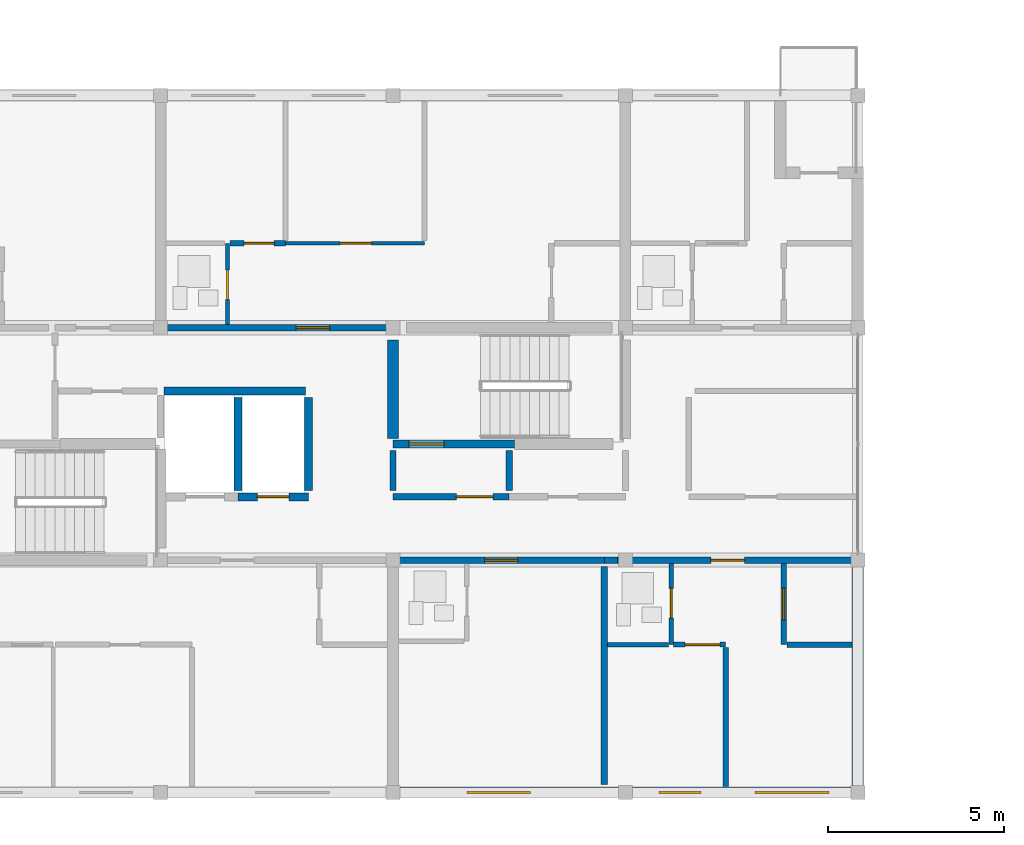
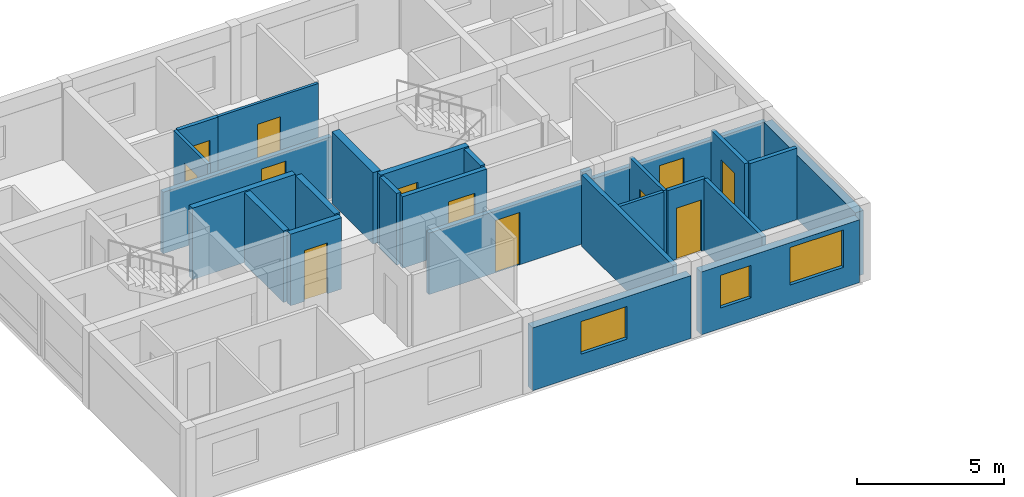
# One storey, part 25 of 45: 26 walls, 12 doors, 3 windows, 15 openings.
"""IFC4 building model written with IfcOpenShell, lengths in metres."""

from ifc_helpers import new_model, si_unit, direction, frame, frame_2d, origin, place, context, subcontext, project, spatial, rectangle, extrude, material, layer, layer_set, type_object, element, fill, save


model = new_model("IFC4")

# Units and contexts
model_context = context("Model", 3, precision=1e-05, world=origin(), true_north=direction((0.0, 1.0)))
body_context = subcontext(model_context, "Body", "Model", "MODEL_VIEW")
ifc_project = project(units=[si_unit("LENGTHUNIT", "METRE"), si_unit("AREAUNIT", "SQUARE_METRE"), si_unit("VOLUMEUNIT", "CUBIC_METRE"), si_unit("PLANEANGLEUNIT", "RADIAN"), si_unit("MASSUNIT", "GRAM", prefix="KILO")], contexts=[model_context])

# Site, building, storey
site_placement = place(None, origin())
site = spatial("IfcSite", under=ifc_project, at=site_placement, CompositionType="ELEMENT")
building_placement = place(site_placement, origin())
building = spatial("IfcBuilding", under=site, at=building_placement, Name="Kernevlak Ridge Housing Community", CompositionType="ELEMENT")
storey_placement = place(building_placement, frame((0.0, 0.0, 21.199951171875)))
storey = spatial("IfcBuildingStorey", under=building, at=storey_placement, Name="L06", CompositionType="ELEMENT", Elevation=21.199951171875)

# Wall, opening, window
ifc_material_1 = material(Name="Concrete block masonry M10", Category="masonry")
ifc_layer_1 = layer(ifc_material_1, 0.320068359375, Name="Concrete block masonry M10")
ifc_layer_set_1 = layer_set([ifc_layer_1], Name="Concrete block masonry M10")
wall_type_1 = type_object("IfcWallType", Name="EW-02", PredefinedType="STANDARD", material=ifc_layer_set_1)
wall_1_placement = place(storey_placement, frame((29.0, 15.60009765625, 0.0), z_axis=(0.0, 0.0, 1.0), x_axis=(1.0, 0.0, 0.0)))
wall_1 = element("IfcWall", 1, at=wall_1_placement, inside=storey, type_object=wall_type_1, Name="Exterior wall EW-02 L06 797", PredefinedType="STANDARD", context=body_context, shape_type="SweptSolid", body=[
    extrude(rectangle(XDim=6.199951171875, YDim=0.320068359375, at=frame_2d((3.10009765625, 0.0))), origin(), (0.0, 0.0, 1.0), 2.60009765625),
])
opening_1_placement = place(wall_1_placement, frame((1.89990234375, 0.0, 0.85009765625)))
opening_1 = element("IfcOpeningElement", 2, at=opening_1_placement, cuts=wall_1, Name="Opening WT-03", PredefinedType="OPENING", context=body_context, shape_type="SweptSolid", body=[
    extrude(rectangle(XDim=1.800048828125, YDim=1.35009765625, at=frame_2d((0.89990234375, 0.675048828125))), frame((0.0, 0.169921875, 0.0), z_axis=(0.0, -1.0, 0.0), x_axis=(1.0, 0.0, 0.0)), (0.0, 0.0, 1.0), 0.340087890625),
])
ifc_material_2 = material(Name="Aluminium EN AW-6060 anodised and laminated glass", Category="aluminium")
window_type_1 = type_object("IfcWindowType", Name="WT-03", PartitioningType="SINGLE_PANEL", PredefinedType="WINDOW", material=ifc_material_2)
window_1_placement = place(opening_1_placement, origin())
window_1 = element("IfcWindow", 3, at=window_1_placement, inside=storey, type_object=window_type_1, Name="Window WT-03 L06 664", OverallHeight=1.35009765625, OverallWidth=1.800048828125, PartitioningType="SINGLE_PANEL", PredefinedType="WINDOW", context=body_context, shape_type="SweptSolid", body=[
    extrude(rectangle(XDim=1.800048828125, YDim=1.35009765625, at=frame_2d((0.89990234375, 0.675048828125))), frame((0.0, 0.030029296875, 0.0), z_axis=(0.0, -1.0, 0.0), x_axis=(1.0, 0.0, 0.0)), (0.0, 0.0, 1.0), 0.06005859375),
])
fill(opening_1, window_1)

# Wall, openings, windows
wall_2_placement = place(storey_placement, frame((35.60009765625, 15.60009765625, 0.0), z_axis=(0.0, 0.0, 1.0), x_axis=(1.0, 0.0, 0.0)))
wall_2 = element("IfcWall", 4, at=wall_2_placement, inside=storey, type_object=wall_type_1, Name="Exterior wall EW-02 L06 798", PredefinedType="STANDARD", context=body_context, shape_type="SweptSolid", body=[
    extrude(rectangle(XDim=6.199951171875, YDim=0.320068359375, at=frame_2d((3.10009765625, 0.0))), origin(), (0.0, 0.0, 1.0), 2.60009765625),
])
opening_2_placement = place(wall_2_placement, frame((0.75, 0.0, 0.85009765625)))
opening_2 = element("IfcOpeningElement", 5, at=opening_2_placement, cuts=wall_2, Name="Opening WT-01", PredefinedType="OPENING", context=body_context, shape_type="SweptSolid", body=[
    extrude(rectangle(XDim=1.199951171875, YDim=1.35009765625, at=frame_2d((0.60009765625, 0.675048828125))), frame((0.0, 0.169921875, 0.0), z_axis=(0.0, -1.0, 0.0), x_axis=(1.0, 0.0, 0.0)), (0.0, 0.0, 1.0), 0.340087890625),
])
opening_3_placement = place(wall_2_placement, frame((3.47509765625, 0.0, 0.85009765625)))
opening_3 = element("IfcOpeningElement", 6, at=opening_3_placement, cuts=wall_2, Name="Opening WT-05", PredefinedType="OPENING", context=body_context, shape_type="SweptSolid", body=[
    extrude(rectangle(XDim=2.10009765625, YDim=1.550048828125, at=frame_2d((1.050048828125, 0.77490234375))), frame((0.0, 0.169921875, 0.0), z_axis=(0.0, -1.0, 0.0), x_axis=(1.0, 0.0, 0.0)), (0.0, 0.0, 1.0), 0.340087890625),
])
window_type_2 = type_object("IfcWindowType", Name="WT-01", PartitioningType="SINGLE_PANEL", PredefinedType="WINDOW", material=ifc_material_2)
window_2_placement = place(opening_2_placement, origin())
window_2 = element("IfcWindow", 7, at=window_2_placement, inside=storey, type_object=window_type_2, Name="Window WT-01 L06 665", OverallHeight=1.35009765625, OverallWidth=1.199951171875, PartitioningType="SINGLE_PANEL", PredefinedType="WINDOW", context=body_context, shape_type="SweptSolid", body=[
    extrude(rectangle(XDim=1.199951171875, YDim=1.35009765625, at=frame_2d((0.60009765625, 0.675048828125))), frame((0.0, 0.030029296875, 0.0), z_axis=(0.0, -1.0, 0.0), x_axis=(1.0, 0.0, 0.0)), (0.0, 0.0, 1.0), 0.06005859375),
])
fill(opening_2, window_2)
window_type_3 = type_object("IfcWindowType", Name="WT-05", PartitioningType="SINGLE_PANEL", PredefinedType="WINDOW", material=ifc_material_2)
window_3_placement = place(opening_3_placement, origin())
window_3 = element("IfcWindow", 8, at=window_3_placement, inside=storey, type_object=window_type_3, Name="Window WT-05 L06 666", OverallHeight=1.550048828125, OverallWidth=2.10009765625, PartitioningType="SINGLE_PANEL", PredefinedType="WINDOW", context=body_context, shape_type="SweptSolid", body=[
    extrude(rectangle(XDim=2.10009765625, YDim=1.550048828125, at=frame_2d((1.050048828125, 0.77490234375))), frame((0.0, 0.030029296875, 0.0), z_axis=(0.0, -1.0, 0.0), x_axis=(1.0, 0.0, 0.0)), (0.0, 0.0, 1.0), 0.06005859375),
])
fill(opening_3, window_3)

# Wall
wall_3_placement = place(storey_placement, frame((42.0, 15.800048828125, 0.0), z_axis=(0.0, 0.0, 1.0), x_axis=(0.0, 1.0, 0.0)))
element("IfcWall", 9, at=wall_3_placement, inside=storey, type_object=wall_type_1, Name="Exterior wall EW-02 L06 807", PredefinedType="STANDARD", context=body_context, shape_type="SweptSolid", body=[
    extrude(rectangle(XDim=6.199951171875, YDim=0.320068359375, at=frame_2d((3.10009765625, 0.0))), origin(), (0.0, 0.0, 1.0), 2.650146484375),
])

# Wall, opening, door
ifc_material_3 = material(Name="Concrete C35/45", Category="concrete")
ifc_layer_2 = layer(ifc_material_3, 0.22509765625, Name="Concrete C35/45")
ifc_layer_set_2 = layer_set([ifc_layer_2], Name="Concrete C35/45")
wall_type_2 = type_object("IfcWallType", Name="PW-01", PredefinedType="STANDARD", material=ifc_layer_set_2)
wall_4_placement = place(storey_placement, frame((24.39990234375, 24.0, 0.0), z_axis=(0.0, 0.0, 1.0), x_axis=(1.0, 0.0, 0.0)))
wall_4 = element("IfcWall", 10, at=wall_4_placement, inside=storey, type_object=wall_type_2, Name="Interior wall PW-01 WAL-INT-L06-3306", PredefinedType="STANDARD", context=body_context, shape_type="SweptSolid", body=[
    extrude(rectangle(XDim=2.0, YDim=0.22509765625, at=frame_2d((1.0, 0.0))), origin(), (0.0, 0.0, 1.0), 2.9599609375),
])
opening_4_placement = place(wall_4_placement, frame((0.550048828125, 0.0, 0.0)))
opening_4 = element("IfcOpeningElement", 11, at=opening_4_placement, cuts=wall_4, Name="Opening LD91", PredefinedType="OPENING", context=body_context, shape_type="SweptSolid", body=[
    extrude(rectangle(XDim=0.89990234375, YDim=2.10009765625, at=frame_2d((0.449951171875, 1.050048828125))), frame((0.0, 0.12255859375, 0.0), z_axis=(0.0, -1.0, 0.0), x_axis=(1.0, 0.0, 0.0)), (0.0, 0.0, 1.0), 0.2451171875),
])
ifc_material_4 = material(Name="Stainless steel EN 1.4401", Category="steel")
door_type_1 = type_object("IfcDoorType", Name="DT-LD2", OperationType="DOUBLE_DOOR_SLIDING", PredefinedType="DOOR", material=ifc_material_4)
door_1_placement = place(opening_4_placement, origin())
door_1 = element("IfcDoor", 12, at=door_1_placement, inside=storey, type_object=door_type_1, Name="Lift LF-D2 landing door LD91", OperationType="DOUBLE_DOOR_SLIDING", OverallHeight=2.10009765625, OverallWidth=0.89990234375, PredefinedType="DOOR", context=body_context, shape_type="SweptSolid", body=[
    extrude(rectangle(XDim=0.89990234375, YDim=2.10009765625, at=frame_2d((0.449951171875, 1.050048828125))), frame((0.0, 0.02490234375, 0.0), z_axis=(0.0, -1.0, 0.0), x_axis=(1.0, 0.0, 0.0)), (0.0, 0.0, 1.0), 0.050048828125),
])
fill(opening_4, door_1)

# Walls
wall_5_placement = place(storey_placement, frame((22.297607421875, 27.0, 0.0), z_axis=(0.0, 0.0, 1.0), x_axis=(1.0, 0.0, 0.0)))
element("IfcWall", 13, at=wall_5_placement, inside=storey, type_object=wall_type_2, Name="Interior wall PW-01 WAL-INT-L06-3307", PredefinedType="STANDARD", context=body_context, shape_type="SweptSolid", body=[
    extrude(rectangle(XDim=4.0224609375, YDim=0.22509765625, at=frame_2d((2.01123046875, 0.0))), origin(), (0.0, 0.0, 1.0), 2.9599609375),
])
for number, where, z_axis, x_axis, name in (
    (14, (24.39990234375, 24.179931640625, 0.0), (0.0, 0.0, 1.0), (0.0, 1.0, 0.0), "Interior wall PW-01 WAL-INT-L06-3309"),
    (15, (26.39990234375, 24.179931640625, 0.0), (0.0, 0.0, 1.0), (0.0, 1.0, 0.0), "Interior wall PW-01 WAL-INT-L06-3310"),
):
    element("IfcWall", number, at=place(storey_placement, frame(where, z_axis=z_axis, x_axis=x_axis)), inside=storey, type_object=wall_type_2, Name=name, PredefinedType="STANDARD", context=body_context, shape_type="SweptSolid", body=[
        extrude(rectangle(XDim=2.64013671875, YDim=0.22509765625, at=frame_2d((1.320068359375, 0.0))), origin(), (0.0, 0.0, 1.0), 2.9599609375),
    ])

# Wall, opening, door
wall_6_placement = place(storey_placement, frame((28.800048828125, 25.5, 0.0), z_axis=(0.0, 0.0, 1.0), x_axis=(1.0, 0.0, 0.0)))
wall_6 = element("IfcWall", 16, at=wall_6_placement, inside=storey, type_object=wall_type_2, Name="Interior wall PW-01 WAL-INT-L06-3311", PredefinedType="STANDARD", context=body_context, shape_type="SweptSolid", body=[
    extrude(rectangle(XDim=3.449951171875, YDim=0.22509765625, at=frame_2d((1.72509765625, 0.0))), origin(), (0.0, 0.0, 1.0), 2.9599609375),
])
opening_5_placement = place(wall_6_placement, frame((0.449951171875, 0.0, 0.0)))
opening_5 = element("IfcOpeningElement", 17, at=opening_5_placement, cuts=wall_6, Name="Opening E678", PredefinedType="OPENING", context=body_context, shape_type="SweptSolid", body=[
    extrude(rectangle(XDim=1.0, YDim=2.159912109375, at=frame_2d((0.5, 1.080078125))), frame((0.0, 0.12255859375, 0.0), z_axis=(0.0, -1.0, 0.0), x_axis=(1.0, 0.0, 0.0)), (0.0, 0.0, 1.0), 0.2451171875),
])
ifc_material_5 = material(Name="Fire-rated sheet steel leaf", Category="steel")
door_type_2 = type_object("IfcDoorType", Name="DT-15", OperationType="NOTDEFINED", PredefinedType="DOOR", material=ifc_material_5)
door_2_placement = place(opening_5_placement, origin())
door_2 = element("IfcDoor", 18, at=door_2_placement, inside=storey, type_object=door_type_2, Name="Block D Stair 2 fire door E678", OperationType="SINGLE_SWING_LEFT", OverallHeight=2.159912109375, OverallWidth=1.0, PredefinedType="DOOR", context=body_context, shape_type="SweptSolid", body=[
    extrude(rectangle(XDim=1.0, YDim=2.159912109375, at=frame_2d((0.5, 1.080078125))), frame((0.0, 0.02490234375, 0.0), z_axis=(0.0, -1.0, 0.0), x_axis=(1.0, 0.0, 0.0)), (0.0, 0.0, 1.0), 0.050048828125),
])
fill(opening_5, door_2)

ifc_layer_3 = layer(ifc_material_1, 0.175048828125, Name="Concrete block masonry M10")
ifc_layer_set_3 = layer_set([ifc_layer_3], Name="Concrete block masonry M10")
wall_type_3 = type_object("IfcWallType", Name="PW-02", PredefinedType="PARTITIONING", material=ifc_layer_set_3)
wall_7_placement = place(storey_placement, frame((28.800048828125, 24.0, 0.0), z_axis=(0.0, 0.0, 1.0), x_axis=(1.0, 0.0, 0.0)))
wall_7 = element("IfcWall", 19, at=wall_7_placement, inside=storey, type_object=wall_type_3, Name="Interior wall PW-02 WAL-INT-L06-3312", PredefinedType="PARTITIONING", context=body_context, shape_type="SweptSolid", body=[
    extrude(rectangle(XDim=3.300048828125, YDim=0.175048828125, at=frame_2d((1.64990234375, 0.0))), origin(), (0.0, 0.0, 1.0), 2.9599609375),
])
opening_6_placement = place(wall_7_placement, frame((1.800048828125, 0.0, 0.0)))
opening_6 = element("IfcOpeningElement", 20, at=opening_6_placement, cuts=wall_7, Name="Opening E679", PredefinedType="OPENING", context=body_context, shape_type="SweptSolid", body=[
    extrude(rectangle(XDim=1.0400390625, YDim=2.1201171875, at=frame_2d((0.52001953125, 1.06005859375))), frame((0.0, 0.097412109375, 0.0), z_axis=(0.0, -1.0, 0.0), x_axis=(1.0, 0.0, 0.0)), (0.0, 0.0, 1.0), 0.195068359375),
])
door_type_3 = type_object("IfcDoorType", Name="DT-16", OperationType="NOTDEFINED", PredefinedType="DOOR", material=ifc_material_5)
door_3_placement = place(opening_6_placement, origin())
door_3 = element("IfcDoor", 21, at=door_3_placement, inside=storey, type_object=door_type_3, Name="Block D Firefighting lobby 2 door E679", OperationType="SINGLE_SWING_RIGHT", OverallHeight=2.1201171875, OverallWidth=1.0400390625, PredefinedType="DOOR", context=body_context, shape_type="SweptSolid", body=[
    extrude(rectangle(XDim=1.0400390625, YDim=2.1201171875, at=frame_2d((0.52001953125, 1.06005859375))), frame((0.0, 0.02490234375, 0.0), z_axis=(0.0, -1.0, 0.0), x_axis=(1.0, 0.0, 0.0)), (0.0, 0.0, 1.0), 0.050048828125),
])
fill(opening_6, door_3)

# Walls
for number, where, z_axis, x_axis, name in (
    (22, (28.800048828125, 24.179931640625, 0.0), (0.0, 0.0, 1.0), (0.0, 1.0, 0.0), "Interior wall PW-02 WAL-INT-L06-3314"),
    (23, (32.10009765625, 24.179931640625, 0.0), (0.0, 0.0, 1.0), (0.0, 1.0, 0.0), "Interior wall PW-02 WAL-INT-L06-3315"),
):
    element("IfcWall", number, at=place(storey_placement, frame(where, z_axis=z_axis, x_axis=x_axis)), inside=storey, type_object=wall_type_3, Name=name, PredefinedType="PARTITIONING", context=body_context, shape_type="SweptSolid", body=[
        extrude(rectangle(XDim=1.14013671875, YDim=0.175048828125, at=frame_2d((0.570068359375, 0.0))), origin(), (0.0, 0.0, 1.0), 2.9599609375),
    ])

# Wall, opening, door
wall_8_placement = place(storey_placement, frame((28.800048828125, 22.199951171875, 0.0), z_axis=(0.0, 0.0, 1.0), x_axis=(1.0, 0.0, 0.0)))
wall_8 = element("IfcWall", 24, at=wall_8_placement, inside=storey, type_object=wall_type_3, Name="Interior wall PW-02 WAL-INT-L06-3329", PredefinedType="PARTITIONING", context=body_context, shape_type="SweptSolid", body=[
    extrude(rectangle(XDim=6.0, YDim=0.175048828125, at=frame_2d((3.0, 0.0))), origin(), (0.0, 0.0, 1.0), 2.550048828125),
])
opening_7_placement = place(wall_8_placement, frame((2.60009765625, 0.0, 0.0)))
opening_7 = element("IfcOpeningElement", 25, at=opening_7_placement, cuts=wall_8, Name="Opening E687", PredefinedType="OPENING", context=body_context, shape_type="SweptSolid", body=[
    extrude(rectangle(XDim=0.949951171875, YDim=2.159912109375, at=frame_2d((0.47509765625, 1.080078125))), frame((0.0, 0.097412109375, 0.0), z_axis=(0.0, -1.0, 0.0), x_axis=(1.0, 0.0, 0.0)), (0.0, 0.0, 1.0), 0.195068359375),
])
ifc_material_6 = material(Name="Hardwood timber solid-core fire leaf", Category="wood")
door_type_4 = type_object("IfcDoorType", Name="DT-02", OperationType="NOTDEFINED", PredefinedType="DOOR", material=ifc_material_6)
door_4_placement = place(opening_7_placement, origin())
door_4 = element("IfcDoor", 26, at=door_4_placement, inside=storey, type_object=door_type_4, Name="Flat D0612 entrance fire door E687", OperationType="SINGLE_SWING_RIGHT", OverallHeight=2.159912109375, OverallWidth=0.949951171875, PredefinedType="DOOR", context=body_context, shape_type="SweptSolid", body=[
    extrude(rectangle(XDim=0.949951171875, YDim=2.159912109375, at=frame_2d((0.47509765625, 1.080078125))), frame((0.0, 0.02490234375, 0.0), z_axis=(0.0, -1.0, 0.0), x_axis=(1.0, 0.0, 0.0)), (0.0, 0.0, 1.0), 0.050048828125),
])
fill(opening_7, door_4)

# Walls
wall_9_placement = place(storey_placement, frame((34.800048828125, 22.02001953125, 0.0), z_axis=(0.0, 0.0, 1.0), x_axis=(0.0, -1.0, 0.0)))
element("IfcWall", 27, at=wall_9_placement, inside=storey, type_object=wall_type_3, Name="Interior wall PW-02 WAL-INT-L06-3332", PredefinedType="PARTITIONING", context=body_context, shape_type="SweptSolid", body=[
    extrude(rectangle(XDim=6.18994140625, YDim=0.175048828125, at=frame_2d((3.094970703125, 0.0))), origin(), (0.0, 0.0, 1.0), 2.9599609375),
])
wall_10_placement = place(storey_placement, frame((34.800048828125, 22.199951171875, 0.0), z_axis=(0.0, 0.0, 1.0), x_axis=(1.0, 0.0, 0.0)))
element("IfcWall", 28, at=wall_10_placement, inside=storey, type_object=wall_type_3, Name="Interior wall PW-02 WAL-INT-L06-3333", PredefinedType="PARTITIONING", context=body_context, shape_type="SweptSolid", body=[
    extrude(rectangle(XDim=0.369873046875, YDim=0.175048828125, at=frame_2d((0.18505859375, 0.0))), origin(), (0.0, 0.0, 1.0), 2.9599609375),
])

# Wall, opening, door
wall_11_placement = place(storey_placement, frame((35.169921875, 22.199951171875, 0.0), z_axis=(0.0, 0.0, 1.0), x_axis=(1.0, 0.0, 0.0)))
wall_11 = element("IfcWall", 29, at=wall_11_placement, inside=storey, type_object=wall_type_3, Name="Interior wall PW-02 WAL-INT-L06-3333 part 2", PredefinedType="PARTITIONING", context=body_context, shape_type="SweptSolid", body=[
    extrude(rectangle(XDim=6.830078125, YDim=0.175048828125, at=frame_2d((3.4150390625, 0.0))), origin(), (0.0, 0.0, 1.0), 2.550048828125),
])
opening_8_placement = place(wall_11_placement, frame((2.655029296875, 0.0, 0.0)))
opening_8 = element("IfcOpeningElement", 30, at=opening_8_placement, cuts=wall_11, Name="Opening E689", PredefinedType="OPENING", context=body_context, shape_type="SweptSolid", body=[
    extrude(rectangle(XDim=0.9599609375, YDim=2.179931640625, at=frame_2d((0.47998046875, 1.08984375))), frame((0.0, 0.097412109375, 0.0), z_axis=(0.0, -1.0, 0.0), x_axis=(1.0, 0.0, 0.0)), (0.0, 0.0, 1.0), 0.195068359375),
])
door_type_5 = type_object("IfcDoorType", Name="DT-29", OperationType="NOTDEFINED", PredefinedType="DOOR", material=ifc_material_6)
door_5_placement = place(opening_8_placement, origin())
door_5 = element("IfcDoor", 31, at=door_5_placement, inside=storey, type_object=door_type_5, Name="Flat D0613 entrance fire door E689", OperationType="SINGLE_SWING_RIGHT", OverallHeight=2.179931640625, OverallWidth=0.9599609375, PredefinedType="DOOR", context=body_context, shape_type="SweptSolid", body=[
    extrude(rectangle(XDim=0.9599609375, YDim=2.179931640625, at=frame_2d((0.47998046875, 1.08984375))), frame((0.0, 0.02490234375, 0.0), z_axis=(0.0, -1.0, 0.0), x_axis=(1.0, 0.0, 0.0)), (0.0, 0.0, 1.0), 0.050048828125),
])
fill(opening_8, door_5)

wall_12_placement = place(storey_placement, frame((22.199951171875, 28.800048828125, 0.0), z_axis=(0.0, 0.0, 1.0), x_axis=(1.0, 0.0, 0.0)))
wall_12 = element("IfcWall", 32, at=wall_12_placement, inside=storey, type_object=wall_type_3, Name="Interior wall PW-02 WAL-INT-L06-3344", PredefinedType="PARTITIONING", context=body_context, shape_type="SweptSolid", body=[
    extrude(rectangle(XDim=6.60009765625, YDim=0.175048828125, at=frame_2d((3.300048828125, 0.0))), origin(), (0.0, 0.0, 1.0), 2.550048828125),
])
opening_9_placement = place(wall_12_placement, frame((3.85009765625, 0.0, 0.0)))
opening_9 = element("IfcOpeningElement", 33, at=opening_9_placement, cuts=wall_12, Name="Opening E695", PredefinedType="OPENING", context=body_context, shape_type="SweptSolid", body=[
    extrude(rectangle(XDim=0.949951171875, YDim=2.159912109375, at=frame_2d((0.47509765625, 1.080078125))), frame((0.0, 0.097412109375, 0.0), z_axis=(0.0, -1.0, 0.0), x_axis=(1.0, 0.0, 0.0)), (0.0, 0.0, 1.0), 0.195068359375),
])
door_6_placement = place(opening_9_placement, origin())
door_6 = element("IfcDoor", 34, at=door_6_placement, inside=storey, type_object=door_type_4, Name="Flat D0622 entrance fire door E695", OperationType="SINGLE_SWING_RIGHT", OverallHeight=2.159912109375, OverallWidth=0.949951171875, PredefinedType="DOOR", context=body_context, shape_type="SweptSolid", body=[
    extrude(rectangle(XDim=0.949951171875, YDim=2.159912109375, at=frame_2d((0.47509765625, 1.080078125))), frame((0.0, 0.02490234375, 0.0), z_axis=(0.0, -1.0, 0.0), x_axis=(1.0, 0.0, 0.0)), (0.0, 0.0, 1.0), 0.050048828125),
])
fill(opening_9, door_6)

ifc_layer_4 = layer(ifc_material_1, 0.14501953125, Name="Concrete block masonry M10")
ifc_layer_set_4 = layer_set([ifc_layer_4], Name="Concrete block masonry M10")
wall_type_4 = type_object("IfcWallType", Name="PW-03", PredefinedType="PARTITIONING", material=ifc_layer_set_4)
wall_13_placement = place(storey_placement, frame((36.7724609375, 19.800048828125, 0.0), z_axis=(0.0, 0.0, 1.0), x_axis=(1.0, 0.0, 0.0)))
wall_13 = element("IfcWall", 35, at=wall_13_placement, inside=storey, type_object=wall_type_4, Name="Interior wall PW-03 WAL-INT-L06-3338", PredefinedType="PARTITIONING", context=body_context, shape_type="SweptSolid", body=[
    extrude(rectangle(XDim=1.4775390625, YDim=0.14501953125, at=frame_2d((0.73876953125, 0.0))), origin(), (0.0, 0.0, 1.0), 2.9599609375),
])
opening_10_placement = place(wall_13_placement, frame((0.327392578125, 0.0, 0.0)))
opening_10 = element("IfcOpeningElement", 36, at=opening_10_placement, cuts=wall_13, Name="Opening E692", PredefinedType="OPENING", context=body_context, shape_type="SweptSolid", body=[
    extrude(rectangle(XDim=0.97998046875, YDim=2.1201171875, at=frame_2d((0.489990234375, 1.06005859375))), frame((0.0, 0.08251953125, 0.0), z_axis=(0.0, -1.0, 0.0), x_axis=(1.0, 0.0, 0.0)), (0.0, 0.0, 1.0), 0.1650390625),
])
ifc_material_7 = material(Name="Hardwood timber leaf", Category="wood")
door_type_6 = type_object("IfcDoorType", Name="DT-24", OperationType="NOTDEFINED", PredefinedType="DOOR", material=ifc_material_7)
door_7_placement = place(opening_10_placement, origin())
door_7 = element("IfcDoor", 37, at=door_7_placement, inside=storey, type_object=door_type_6, Name="Flat D0613 bedroom door E692", OperationType="SINGLE_SWING_LEFT", OverallHeight=2.1201171875, OverallWidth=0.97998046875, PredefinedType="DOOR", context=body_context, shape_type="SweptSolid", body=[
    extrude(rectangle(XDim=0.97998046875, YDim=2.1201171875, at=frame_2d((0.489990234375, 1.06005859375))), frame((0.0, 0.02490234375, 0.0), z_axis=(0.0, -1.0, 0.0), x_axis=(1.0, 0.0, 0.0)), (0.0, 0.0, 1.0), 0.050048828125),
])
fill(opening_10, door_7)

# Wall
wall_14_placement = place(storey_placement, frame((38.25, 19.717529296875, 0.0), z_axis=(0.0, 0.0, 1.0), x_axis=(0.0, -1.0, 0.0)))
element("IfcWall", 38, at=wall_14_placement, inside=storey, type_object=wall_type_4, Name="Interior wall PW-03 WAL-INT-L06-3339", PredefinedType="PARTITIONING", context=body_context, shape_type="SweptSolid", body=[
    extrude(rectangle(XDim=3.947509765625, YDim=0.14501953125, at=frame_2d((1.9736328125, 0.0))), origin(), (0.0, 0.0, 1.0), 2.9599609375),
])

# Wall, opening, door
wall_15_placement = place(storey_placement, frame((24.172607421875, 31.199951171875, 0.0), z_axis=(0.0, 0.0, 1.0), x_axis=(1.0, 0.0, 0.0)))
wall_15 = element("IfcWall", 39, at=wall_15_placement, inside=storey, type_object=wall_type_4, Name="Interior wall PW-03 WAL-INT-L06-3349", PredefinedType="PARTITIONING", context=body_context, shape_type="SweptSolid", body=[
    extrude(rectangle(XDim=1.577392578125, YDim=0.14501953125, at=frame_2d((0.78857421875, 0.0))), origin(), (0.0, 0.0, 1.0), 2.9599609375),
])
opening_11_placement = place(wall_15_placement, frame((0.39990234375, 0.0, 0.0)))
opening_11 = element("IfcOpeningElement", 40, at=opening_11_placement, cuts=wall_15, Name="Opening E698", PredefinedType="OPENING", context=body_context, shape_type="SweptSolid", body=[
    extrude(rectangle(XDim=0.85009765625, YDim=2.10009765625, at=frame_2d((0.425048828125, 1.050048828125))), frame((0.0, 0.08251953125, 0.0), z_axis=(0.0, -1.0, 0.0), x_axis=(1.0, 0.0, 0.0)), (0.0, 0.0, 1.0), 0.1650390625),
])
door_type_7 = type_object("IfcDoorType", Name="DT-03", OperationType="NOTDEFINED", PredefinedType="DOOR", material=ifc_material_7)
door_8_placement = place(opening_11_placement, origin())
door_8 = element("IfcDoor", 41, at=door_8_placement, inside=storey, type_object=door_type_7, Name="Flat D0622 bedroom door E698", OperationType="SINGLE_SWING_LEFT", OverallHeight=2.10009765625, OverallWidth=0.85009765625, PredefinedType="DOOR", context=body_context, shape_type="SweptSolid", body=[
    extrude(rectangle(XDim=0.85009765625, YDim=2.10009765625, at=frame_2d((0.425048828125, 1.050048828125))), frame((0.0, 0.02490234375, 0.0), z_axis=(0.0, -1.0, 0.0), x_axis=(1.0, 0.0, 0.0)), (0.0, 0.0, 1.0), 0.050048828125),
])
fill(opening_11, door_8)

ifc_material_8 = material(Name="Gypsum plasterboard EN 520", Category="gypsum")
ifc_layer_5 = layer(ifc_material_8, 0.125, Name="Gypsum plasterboard EN 520")
ifc_layer_set_5 = layer_set([ifc_layer_5], Name="Gypsum plasterboard EN 520")
wall_type_5 = type_object("IfcWallType", Name="PW-04", PredefinedType="PARTITIONING", material=ifc_layer_set_5)
wall_16_placement = place(storey_placement, frame((36.699951171875, 22.1025390625, 0.0), z_axis=(0.0, 0.0, 1.0), x_axis=(0.0, -1.0, 0.0)))
wall_16 = element("IfcWall", 42, at=wall_16_placement, inside=storey, type_object=wall_type_5, Name="Interior wall PW-04 WAL-INT-L06-3334", PredefinedType="PARTITIONING", context=body_context, shape_type="SweptSolid", body=[
    extrude(rectangle(XDim=2.302490234375, YDim=0.125, at=frame_2d((1.1513671875, 0.0))), origin(), (0.0, 0.0, 1.0), 2.9599609375),
])
opening_12_placement = place(wall_16_placement, frame((0.699951171875, 0.0, 0.0)))
opening_12 = element("IfcOpeningElement", 43, at=opening_12_placement, cuts=wall_16, Name="Opening E690", PredefinedType="OPENING", context=body_context, shape_type="SweptSolid", body=[
    extrude(rectangle(XDim=0.85009765625, YDim=2.0400390625, at=frame_2d((0.425048828125, 1.02001953125))), frame((0.0, 0.072509765625, 0.0), z_axis=(0.0, -1.0, 0.0), x_axis=(1.0, 0.0, 0.0)), (0.0, 0.0, 1.0), 0.14501953125),
])
ifc_material_9 = material(Name="Hardwood timber moisture-resistant leaf", Category="wood")
door_type_8 = type_object("IfcDoorType", Name="DT-04", OperationType="NOTDEFINED", PredefinedType="DOOR", material=ifc_material_9)
door_9_placement = place(opening_12_placement, origin())
door_9 = element("IfcDoor", 44, at=door_9_placement, inside=storey, type_object=door_type_8, Name="Flat D0613 bathroom door E690", OperationType="SINGLE_SWING_LEFT", OverallHeight=2.0400390625, OverallWidth=0.85009765625, PredefinedType="DOOR", context=body_context, shape_type="SweptSolid", body=[
    extrude(rectangle(XDim=0.85009765625, YDim=2.0400390625, at=frame_2d((0.425048828125, 1.02001953125))), frame((0.0, 0.02490234375, 0.0), z_axis=(0.0, -1.0, 0.0), x_axis=(1.0, 0.0, 0.0)), (0.0, 0.0, 1.0), 0.050048828125),
])
fill(opening_12, door_9)

# Wall
wall_17_placement = place(storey_placement, frame((34.8974609375, 19.800048828125, 0.0), z_axis=(0.0, 0.0, 1.0), x_axis=(1.0, 0.0, 0.0)))
element("IfcWall", 45, at=wall_17_placement, inside=storey, type_object=wall_type_5, Name="Interior wall PW-04 WAL-INT-L06-3335", PredefinedType="PARTITIONING", context=body_context, shape_type="SweptSolid", body=[
    extrude(rectangle(XDim=1.72265625, YDim=0.125, at=frame_2d((0.861328125, 0.0))), origin(), (0.0, 0.0, 1.0), 2.9599609375),
])

# Wall, opening, door
wall_18_placement = place(storey_placement, frame((24.10009765625, 28.8974609375, 0.0), z_axis=(0.0, 0.0, 1.0), x_axis=(0.0, 1.0, 0.0)))
wall_18 = element("IfcWall", 46, at=wall_18_placement, inside=storey, type_object=wall_type_5, Name="Interior wall PW-04 WAL-INT-L06-3345", PredefinedType="PARTITIONING", context=body_context, shape_type="SweptSolid", body=[
    extrude(rectangle(XDim=2.302490234375, YDim=0.125, at=frame_2d((1.1513671875, 0.0))), origin(), (0.0, 0.0, 1.0), 2.9599609375),
])
opening_13_placement = place(wall_18_placement, frame((0.699951171875, 0.0, 0.0)))
opening_13 = element("IfcOpeningElement", 47, at=opening_13_placement, cuts=wall_18, Name="Opening E696", PredefinedType="OPENING", context=body_context, shape_type="SweptSolid", body=[
    extrude(rectangle(XDim=0.840087890625, YDim=2.06005859375, at=frame_2d((0.419921875, 1.030029296875))), frame((0.0, 0.072509765625, 0.0), z_axis=(0.0, -1.0, 0.0), x_axis=(1.0, 0.0, 0.0)), (0.0, 0.0, 1.0), 0.14501953125),
])
door_type_9 = type_object("IfcDoorType", Name="DT-27", OperationType="NOTDEFINED", PredefinedType="DOOR", material=ifc_material_9)
door_10_placement = place(opening_13_placement, origin())
door_10 = element("IfcDoor", 48, at=door_10_placement, inside=storey, type_object=door_type_9, Name="Flat D0622 bathroom door E696", OperationType="SINGLE_SWING_LEFT", OverallHeight=2.06005859375, OverallWidth=0.840087890625, PredefinedType="DOOR", context=body_context, shape_type="SweptSolid", body=[
    extrude(rectangle(XDim=0.840087890625, YDim=2.06005859375, at=frame_2d((0.419921875, 1.030029296875))), frame((0.0, 0.02490234375, 0.0), z_axis=(0.0, -1.0, 0.0), x_axis=(1.0, 0.0, 0.0)), (0.0, 0.0, 1.0), 0.050048828125),
])
fill(opening_13, door_10)

ifc_layer_6 = layer(ifc_material_8, 0.155029296875, Name="Gypsum plasterboard EN 520")
ifc_layer_set_6 = layer_set([ifc_layer_6], Name="Gypsum plasterboard EN 520")
wall_type_6 = type_object("IfcWallType", Name="PW-05", PredefinedType="PARTITIONING", material=ifc_layer_set_6)
wall_19_placement = place(storey_placement, frame((39.89990234375, 22.1025390625, 0.0), z_axis=(0.0, 0.0, 1.0), x_axis=(0.0, -1.0, 0.0)))
wall_19 = element("IfcWall", 49, at=wall_19_placement, inside=storey, type_object=wall_type_6, Name="Interior wall PW-05 WAL-INT-L06-3336", PredefinedType="PARTITIONING", context=body_context, shape_type="SweptSolid", body=[
    extrude(rectangle(XDim=2.302490234375, YDim=0.155029296875, at=frame_2d((1.1513671875, 0.0))), origin(), (0.0, 0.0, 1.0), 2.9599609375),
])
opening_14_placement = place(wall_19_placement, frame((0.699951171875, 0.0, 0.0)))
opening_14 = element("IfcOpeningElement", 50, at=opening_14_placement, cuts=wall_19, Name="Opening E691", PredefinedType="OPENING", context=body_context, shape_type="SweptSolid", body=[
    extrude(rectangle(XDim=0.89990234375, YDim=2.159912109375, at=frame_2d((0.449951171875, 1.080078125))), frame((0.0, 0.08740234375, 0.0), z_axis=(0.0, -1.0, 0.0), x_axis=(1.0, 0.0, 0.0)), (0.0, 0.0, 1.0), 0.175048828125),
])
door_type_10 = type_object("IfcDoorType", Name="DT-22", OperationType="NOTDEFINED", PredefinedType="DOOR", material=ifc_material_7)
door_11_placement = place(opening_14_placement, origin())
door_11 = element("IfcDoor", 51, at=door_11_placement, inside=storey, type_object=door_type_10, Name="Flat D0613 kitchen door E691", OperationType="SINGLE_SWING_RIGHT", OverallHeight=2.159912109375, OverallWidth=0.89990234375, PredefinedType="DOOR", context=body_context, shape_type="SweptSolid", body=[
    extrude(rectangle(XDim=0.89990234375, YDim=2.159912109375, at=frame_2d((0.449951171875, 1.080078125))), frame((0.0, 0.02490234375, 0.0), z_axis=(0.0, -1.0, 0.0), x_axis=(1.0, 0.0, 0.0)), (0.0, 0.0, 1.0), 0.050048828125),
])
fill(opening_14, door_11)

# Wall
wall_20_placement = place(storey_placement, frame((39.987548828125, 19.800048828125, 0.0), z_axis=(0.0, 0.0, 1.0), x_axis=(1.0, 0.0, 0.0)))
element("IfcWall", 52, at=wall_20_placement, inside=storey, type_object=wall_type_6, Name="Interior wall PW-05 WAL-INT-L06-3337", PredefinedType="PARTITIONING", context=body_context, shape_type="SweptSolid", body=[
    extrude(rectangle(XDim=1.842529296875, YDim=0.155029296875, at=frame_2d((0.92138671875, 0.0))), origin(), (0.0, 0.0, 1.0), 2.9599609375),
])

# Wall, opening, door
ifc_layer_7 = layer(ifc_material_8, 0.10498046875, Name="Gypsum plasterboard EN 520")
ifc_layer_set_7 = layer_set([ifc_layer_7], Name="Gypsum plasterboard EN 520")
wall_type_7 = type_object("IfcWallType", Name="PW-06", PredefinedType="PARTITIONING", material=ifc_layer_set_7)
wall_21_placement = place(storey_placement, frame((25.75, 31.199951171875, 0.0), z_axis=(0.0, 0.0, 1.0), x_axis=(1.0, 0.0, 0.0)))
wall_21 = element("IfcWall", 53, at=wall_21_placement, inside=storey, type_object=wall_type_7, Name="Interior wall PW-06 WAL-INT-L06-3351", PredefinedType="PARTITIONING", context=body_context, shape_type="SweptSolid", body=[
    extrude(rectangle(XDim=3.94189453125, YDim=0.10498046875, at=frame_2d((1.970947265625, 0.0))), origin(), (0.0, 0.0, 1.0), 2.9599609375),
])
opening_15_placement = place(wall_21_placement, frame((1.5458984375, 0.0, 0.0)))
opening_15 = element("IfcOpeningElement", 54, at=opening_15_placement, cuts=wall_21, Name="Opening E699", PredefinedType="OPENING", context=body_context, shape_type="SweptSolid", body=[
    extrude(rectangle(XDim=0.89990234375, YDim=2.10009765625, at=frame_2d((0.449951171875, 1.050048828125))), frame((0.0, 0.0625, 0.0), z_axis=(0.0, -1.0, 0.0), x_axis=(1.0, 0.0, 0.0)), (0.0, 0.0, 1.0), 0.125),
])
door_type_11 = type_object("IfcDoorType", Name="DT-21", OperationType="NOTDEFINED", PredefinedType="DOOR", material=ifc_material_7)
door_12_placement = place(opening_15_placement, origin())
door_12 = element("IfcDoor", 55, at=door_12_placement, inside=storey, type_object=door_type_11, Name="Flat D0622 bedroom door E699", OperationType="SINGLE_SWING_RIGHT", OverallHeight=2.10009765625, OverallWidth=0.89990234375, PredefinedType="DOOR", context=body_context, shape_type="SweptSolid", body=[
    extrude(rectangle(XDim=0.89990234375, YDim=2.10009765625, at=frame_2d((0.449951171875, 1.050048828125))), frame((0.0, 0.02490234375, 0.0), z_axis=(0.0, -1.0, 0.0), x_axis=(1.0, 0.0, 0.0)), (0.0, 0.0, 1.0), 0.050048828125),
])
fill(opening_15, door_12)

# Wall
ifc_material_10 = material(Name="Concrete C40/50", Category="concrete")
ifc_layer_8 = layer(ifc_material_10, 0.300048828125, Name="Concrete C40/50")
ifc_layer_set_8 = layer_set([ifc_layer_8], Name="Concrete C40/50")
wall_type_8 = type_object("IfcWallType", Name="SW-02", PredefinedType="SHEAR", material=ifc_layer_set_8)
wall_22_placement = place(storey_placement, frame((28.800048828125, 25.64990234375, 0.0), z_axis=(0.0, 0.0, 1.0), x_axis=(0.0, 1.0, 0.0)))
element("IfcWall", 56, at=wall_22_placement, inside=storey, type_object=wall_type_8, Name="Shear wall SW-02 Block D L06 572", PredefinedType="SHEAR", context=body_context, shape_type="SweptSolid", body=[
    extrude(rectangle(XDim=2.800048828125, YDim=0.300048828125, at=frame_2d((1.39990234375, 0.0))), origin(), (0.0, 0.0, 1.0), 2.9599609375),
])

save(model, "model.ifc")
